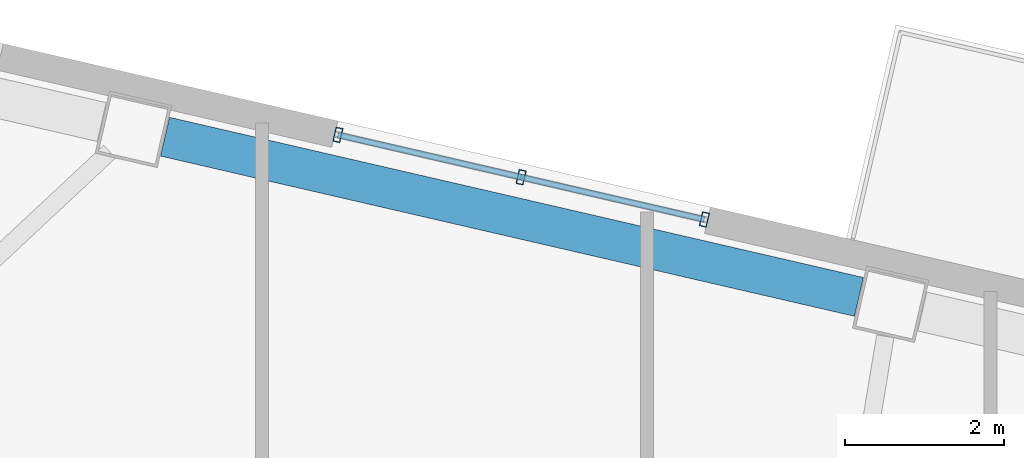
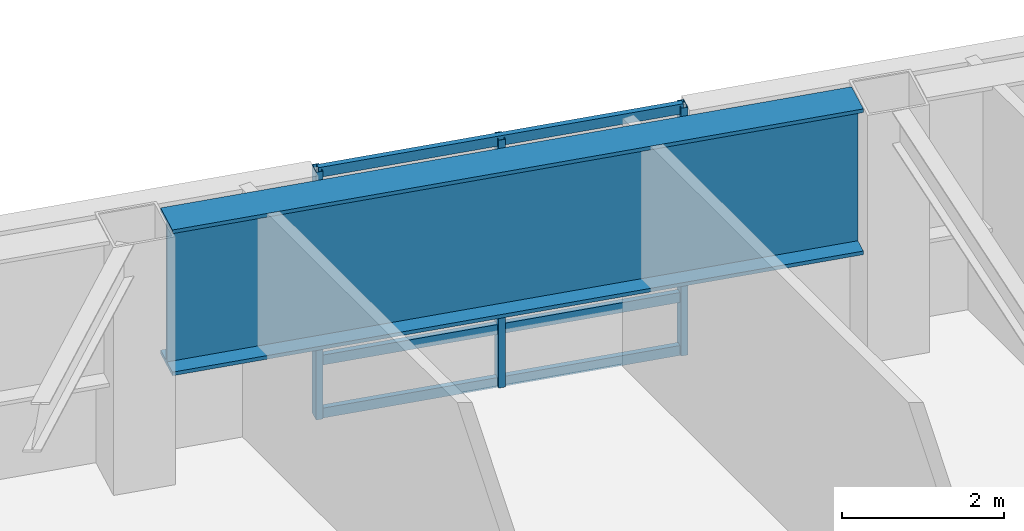
# One storey, part 6 of 20: 6 members, 1 beam, 1 element without a shape of its own.
"""IFC4 building model written with IfcOpenShell, lengths in metres."""

from ifc_helpers import new_model, si_unit, direction, frame, origin, origin_2d, place, context, subcontext, project, spatial, hollow_rectangle, i_section, extrude, material, layer, layer_set, material_profile, profile_set, type_object, element, aggregate, save


model = new_model("IFC4")

# Units and contexts
model_context = context("Model", 3, precision=1e-05, world=origin(), true_north=direction((0.0, 1.0)))
body_context = subcontext(model_context, "Body", "Model", "MODEL_VIEW")
ifc_project = project(units=[si_unit("LENGTHUNIT", "METRE"), si_unit("AREAUNIT", "SQUARE_METRE"), si_unit("VOLUMEUNIT", "CUBIC_METRE"), si_unit("PLANEANGLEUNIT", "RADIAN"), si_unit("MASSUNIT", "GRAM", prefix="KILO")], contexts=[model_context])

# Site, building, storey
site_placement = place(None, origin())
site = spatial("IfcSite", under=ifc_project, at=site_placement, CompositionType="ELEMENT")
building_placement = place(site_placement, origin())
building = spatial("IfcBuilding", under=site, at=building_placement, Name="Tavrogorsk Clinical Tower", CompositionType="ELEMENT")
storey_placement = place(building_placement, frame((0.0, 0.0, 39.39990234375)))
storey = spatial("IfcBuildingStorey", under=building, at=storey_placement, Name="L07", CompositionType="ELEMENT", Elevation=39.39990234375)

# Curtain wall, members
ifc_material_1 = material(Name="Anodised aluminium and triple IGU glazing", Category="aluminium")
ifc_layer = layer(ifc_material_1, 0.179931640625)
ifc_layer_set = layer_set([ifc_layer], Name="Anodised aluminium and triple IGU glazing")
curtain_wall_type = type_object("IfcCurtainWallType", Name="CW2_NorthSlot", PredefinedType="NOTDEFINED", material=ifc_layer_set)
curtain_wall_placement = place(storey_placement, origin())
curtain_wall = element("IfcCurtainWall", 1, at=curtain_wall_placement, inside=storey, type_object=curtain_wall_type, Name="L07 Curtain Wall CW-L07-N-SLOT-1", PredefinedType="NOTDEFINED")
ifc_material_2 = material(Name="Anodised aluminium alloy AW-6060", Category="aluminium")
ifc_material_profile_1 = material_profile(ifc_material_2, hollow_rectangle(XDim=0.090087890625, YDim=0.179931640625, WallThickness=0.00634765625, at=origin_2d()), Name="RHS-180x90x6.3")
ifc_profile_set_1 = profile_set([ifc_material_profile_1], Name="Anodised aluminium alloy AW-6060")
member_type_1 = type_object("IfcMemberType", Name="CwMullion_180x90", PredefinedType="MULLION", material=ifc_profile_set_1)
member_1_placement = place(storey_placement, frame((-3.879638671875, 24.640625, 0.0), z_axis=(0.0, 0.0, 1.0), x_axis=(-0.974370102963, 0.224950888978, 0.0)))
member_1 = element("IfcMember", 2, at=member_1_placement, type_object=member_type_1, Name="CW-L07-N-SLOT-1 Mullion 1", PredefinedType="MULLION", context=body_context, shape_type="SweptSolid", body=[
    extrude(hollow_rectangle(XDim=0.090087890625, YDim=0.179931640625, WallThickness=0.00634765625, at=origin_2d()), origin(), (0.0, 0.0, 1.0), 3.739990234375),
])
member_2_placement = place(storey_placement, frame((-6.17822265625, 25.171142578125, 0.0), z_axis=(0.0, 0.0, 1.0), x_axis=(-0.974370102963, 0.224950888978, 0.0)))
member_2 = element("IfcMember", 3, at=member_2_placement, type_object=member_type_1, Name="CW-L07-N-SLOT-1 Mullion 2", PredefinedType="MULLION", context=body_context, shape_type="SweptSolid", body=[
    extrude(hollow_rectangle(XDim=0.090087890625, YDim=0.179931640625, WallThickness=0.00634765625, at=origin_2d()), origin(), (0.0, 0.0, 1.0), 3.739990234375),
])
member_3_placement = place(storey_placement, frame((-8.476806640625, 25.701904296875, 0.0), z_axis=(0.0, 0.0, 1.0), x_axis=(-0.974370102963, 0.224950888978, 0.0)))
member_3 = element("IfcMember", 4, at=member_3_placement, type_object=member_type_1, Name="CW-L07-N-SLOT-1 Mullion 3", PredefinedType="MULLION", context=body_context, shape_type="SweptSolid", body=[
    extrude(hollow_rectangle(XDim=0.090087890625, YDim=0.179931640625, WallThickness=0.00634765625, at=origin_2d()), origin(), (0.0, 0.0, 1.0), 3.739990234375),
])
ifc_material_3 = material(Name="Anodised aluminium alloy AW-6060", Category="aluminium")
ifc_material_profile_2 = material_profile(ifc_material_3, hollow_rectangle(XDim=0.074951171875, YDim=0.14990234375, WallThickness=0.0048828125, at=origin_2d()), Name="RHS-150x75x5")
ifc_profile_set_2 = profile_set([ifc_material_profile_2], Name="Anodised aluminium alloy AW-6060")
member_type_2 = type_object("IfcMemberType", Name="CwTransom_150x75", PredefinedType="USERDEFINED", material=ifc_profile_set_2)
member_4_placement = place(storey_placement, frame((-3.879638671875, 24.640625, 0.050048828125), z_axis=(-0.974372877948, 0.22493886885, 0.0), x_axis=(-0.22493886885, -0.974372877948, 0.0)))
member_4 = element("IfcMember", 5, at=member_4_placement, type_object=member_type_2, Name="CW-L07-N-SLOT-1 Transom 1", ObjectType="TRANSOM", PredefinedType="USERDEFINED", context=body_context, shape_type="SweptSolid", body=[
    extrude(hollow_rectangle(XDim=0.074951171875, YDim=0.14990234375, WallThickness=0.0048828125, at=origin_2d()), origin(), (0.0, 0.0, 1.0), 4.718017578125),
])
member_5_placement = place(storey_placement, frame((-3.879638671875, 24.640625, 0.85009765625), z_axis=(-0.974372877948, 0.22493886885, 0.0), x_axis=(-0.22493886885, -0.974372877948, 0.0)))
member_5 = element("IfcMember", 6, at=member_5_placement, type_object=member_type_2, Name="CW-L07-N-SLOT-1 Transom 2", ObjectType="TRANSOM", PredefinedType="USERDEFINED", context=body_context, shape_type="SweptSolid", body=[
    extrude(hollow_rectangle(XDim=0.074951171875, YDim=0.14990234375, WallThickness=0.0048828125, at=origin_2d()), origin(), (0.0, 0.0, 1.0), 4.718017578125),
])
member_6_placement = place(storey_placement, frame((-3.879638671875, 24.640625, 3.690185546875), z_axis=(-0.974372877948, 0.22493886885, 0.0), x_axis=(-0.22493886885, -0.974372877948, 0.0)))
member_6 = element("IfcMember", 7, at=member_6_placement, type_object=member_type_2, Name="CW-L07-N-SLOT-1 Transom 3", ObjectType="TRANSOM", PredefinedType="USERDEFINED", context=body_context, shape_type="SweptSolid", body=[
    extrude(hollow_rectangle(XDim=0.074951171875, YDim=0.14990234375, WallThickness=0.0048828125, at=origin_2d()), origin(), (0.0, 0.0, 1.0), 4.718017578125),
])
aggregate(curtain_wall, [member_1, member_2, member_3, member_4, member_5, member_6])

# Beam
ifc_material_4 = material(Name="Structural steel S440", Category="steel")
ifc_material_profile_3 = material_profile(ifc_material_4, i_section(OverallWidth=0.5, OverallDepth=2.199951171875, WebThickness=0.035888671875, FlangeThickness=0.054931640625, at=origin_2d()), Name="DK-2200x500x36x55")
ifc_profile_set_3 = profile_set([ifc_material_profile_3], Name="Structural steel S440")
beam_type = type_object("IfcBeamType", Name="TransferGirder_DK2200", PredefinedType="USERDEFINED", material=ifc_profile_set_3)
beam_placement = place(storey_placement, frame((-1.941162109375, 23.669677734375, 2.64013671875), z_axis=(-0.974372766602, 0.224939351168, 0.0), x_axis=(-0.224939351168, -0.974372766602, 0.0)))
element("IfcBeam", 8, at=beam_placement, inside=storey, type_object=beam_type, Name="L07 Perimeter Spandrel N5-N6", ObjectType="GIRDER", PredefinedType="USERDEFINED", context=body_context, shape_type="SweptSolid", body=[
    extrude(i_section(OverallWidth=0.5, OverallDepth=2.199951171875, WebThickness=0.035888671875, FlangeThickness=0.054931640625, at=origin_2d()), origin(), (0.0, 0.0, 1.0), 8.9326171875),
])

save(model, "model.ifc")
